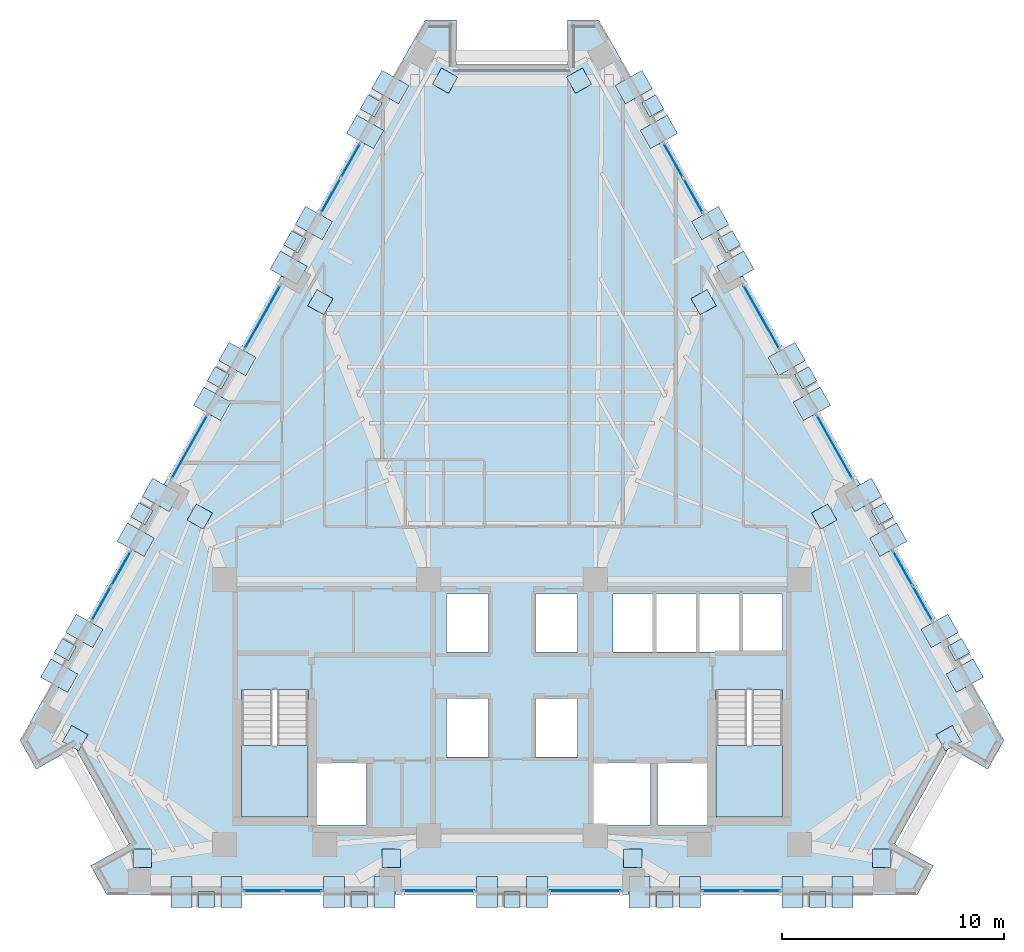
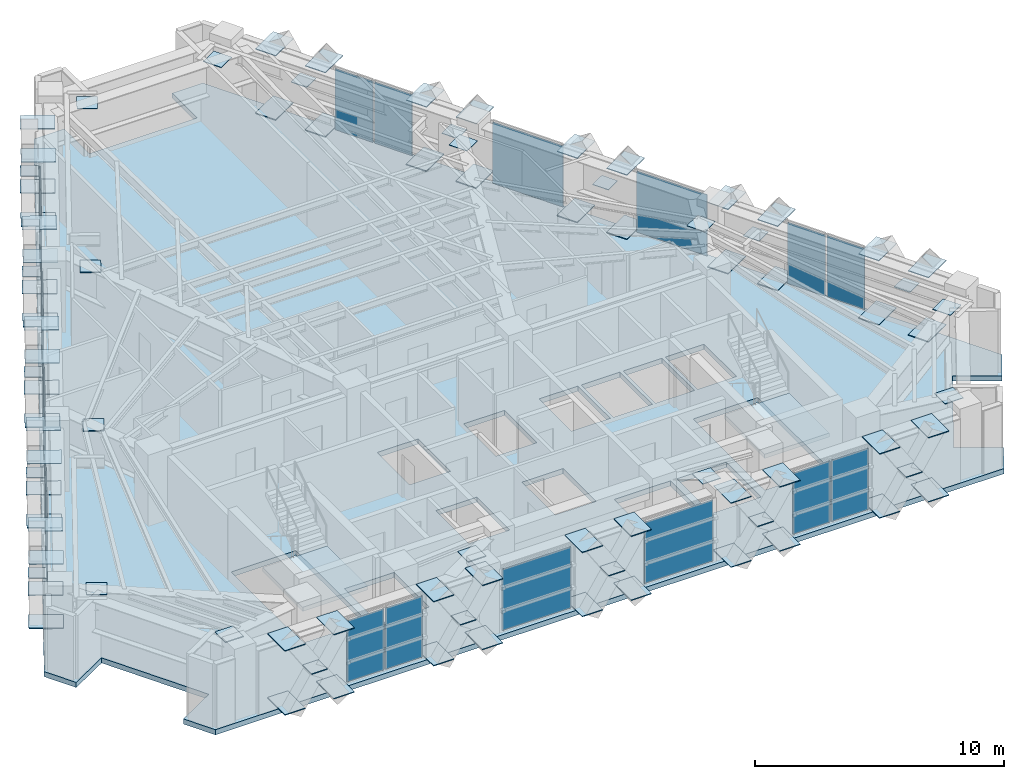
# One storey, part 6 of 13: 105 plates, 3 slabs, 14 elements without a shape of their own.
"""IFC4 building model written with IfcOpenShell, lengths in metres."""

from ifc_helpers import new_model, si_unit, direction, frame, origin, origin_2d, place, context, subcontext, project, spatial, polyline, rectangle, outline, extrude, material, layer, layer_set, type_object, element, aggregate, save


model = new_model("IFC4")

# Units and contexts
model_context = context("Model", 3, precision=1e-05, world=origin(), true_north=direction((0.0, 1.0)))
body_context = subcontext(model_context, "Body", "Model", "MODEL_VIEW")
ifc_project = project(units=[si_unit("LENGTHUNIT", "METRE"), si_unit("AREAUNIT", "SQUARE_METRE"), si_unit("VOLUMEUNIT", "CUBIC_METRE"), si_unit("PLANEANGLEUNIT", "RADIAN"), si_unit("MASSUNIT", "GRAM", prefix="KILO")], contexts=[model_context])

# Site, building, storey
site_placement = place(None, origin())
site = spatial("IfcSite", under=ifc_project, at=site_placement, CompositionType="ELEMENT")
building_placement = place(site_placement, origin())
building = spatial("IfcBuilding", under=site, at=building_placement, Name="Quenlor Broadcast Tower", CompositionType="ELEMENT")
storey_placement = place(building_placement, frame((0.0, 0.0, 175.5)))
storey = spatial("IfcBuildingStorey", under=building, at=storey_placement, Name="L48", CompositionType="ELEMENT", Elevation=175.5)

# Curtain wall, plates
ifc_material_1 = material(Name="Architectural Terracotta and Low-E Glazing", Category="masonry")
curtain_wall_type = type_object("IfcCurtainWallType", Name="Unitised Terracotta Curtain Wall System Z3", PredefinedType="NOTDEFINED", material=ifc_material_1)
curtain_wall_1_placement = place(storey_placement, origin())
curtain_wall_1 = element("IfcCurtainWall", 1, at=curtain_wall_1_placement, inside=storey, type_object=curtain_wall_type, Name="L48 Curtain Wall CW3 (L48-SA-G1)", PredefinedType="NOTDEFINED")
ifc_material_2 = material(Name="Double Glazed Low-E Solar Glass", Category="glass")
ifc_layer_1 = layer(ifc_material_2, 0.028076171875)
ifc_layer_set_1 = layer_set([ifc_layer_1], Name="CW3 Double Glazed Vision Panel 28")
plate_type_1 = type_object("IfcPlateType", Name="CW3 Double Glazed Vision Panel 28", PredefinedType="CURTAIN_PANEL", material=ifc_layer_set_1)
plate_1_placement = place(storey_placement, frame((11.222900390625, -18.824951171875, 0.070068359375), z_axis=(0.0, 0.0, 1.0), x_axis=(-1.0, 0.0, 0.0)))
plate_1 = element("IfcPlate", 2, at=plate_1_placement, type_object=plate_type_1, Name="CW3 panel 1.1", PredefinedType="CURTAIN_PANEL", context=body_context, shape_type="SweptSolid", body=[
    extrude(rectangle(XDim=1.7119140625, YDim=0.028076171875, at=origin_2d()), origin(), (0.0, 0.0, 1.0), 3.0),
])
plate_2_placement = place(storey_placement, frame((9.44091796875, -18.824951171875, 0.070068359375), z_axis=(0.0, 0.0, 1.0), x_axis=(-1.0, 0.0, 0.0)))
plate_2 = element("IfcPlate", 3, at=plate_2_placement, type_object=plate_type_1, Name="CW3 panel 2.1", PredefinedType="CURTAIN_PANEL", context=body_context, shape_type="SweptSolid", body=[
    extrude(rectangle(XDim=1.7119140625, YDim=0.028076171875, at=origin_2d()), origin(), (0.0, 0.0, 1.0), 3.0),
])
aggregate(curtain_wall_1, [plate_1, plate_2])

curtain_wall_2_placement = place(storey_placement, origin())
curtain_wall_2 = element("IfcCurtainWall", 4, at=curtain_wall_2_placement, inside=storey, type_object=curtain_wall_type, Name="L48 Curtain Wall CW3 (L48-SC-G1)", PredefinedType="NOTDEFINED")
plate_3_placement = place(storey_placement, frame((-9.44091796875, -18.824951171875, 0.070068359375), z_axis=(0.0, 0.0, 1.0), x_axis=(-1.0, 0.0, 0.0)))
plate_3 = element("IfcPlate", 5, at=plate_3_placement, type_object=plate_type_1, Name="CW3 panel 1.1", PredefinedType="CURTAIN_PANEL", context=body_context, shape_type="SweptSolid", body=[
    extrude(rectangle(XDim=1.7119140625, YDim=0.028076171875, at=origin_2d()), origin(), (0.0, 0.0, 1.0), 3.0),
])
plate_4_placement = place(storey_placement, frame((-11.222900390625, -18.824951171875, 0.070068359375), z_axis=(0.0, 0.0, 1.0), x_axis=(-1.0, 0.0, 0.0)))
plate_4 = element("IfcPlate", 6, at=plate_4_placement, type_object=plate_type_1, Name="CW3 panel 2.1", PredefinedType="CURTAIN_PANEL", context=body_context, shape_type="SweptSolid", body=[
    extrude(rectangle(XDim=1.7119140625, YDim=0.028076171875, at=origin_2d()), origin(), (0.0, 0.0, 1.0), 3.0),
])
aggregate(curtain_wall_2, [plate_3, plate_4])

# Curtain wall, plate
curtain_wall_3_placement = place(storey_placement, origin())
curtain_wall_3 = element("IfcCurtainWall", 7, at=curtain_wall_3_placement, inside=storey, type_object=curtain_wall_type, Name="L48 Curtain Wall CW3 (L48-S-G1)", PredefinedType="NOTDEFINED")
plate_5_placement = place(storey_placement, frame((3.2939453125, -18.824951171875, 0.070068359375), z_axis=(0.0, 0.0, 1.0), x_axis=(-1.0, 0.0, 0.0)))
plate_5 = element("IfcPlate", 8, at=plate_5_placement, type_object=plate_type_1, Name="CW3 panel 1.1", PredefinedType="CURTAIN_PANEL", context=body_context, shape_type="SweptSolid", body=[
    extrude(rectangle(XDim=3.194091796875, YDim=0.028076171875, at=origin_2d()), origin(), (0.0, 0.0, 1.0), 3.0),
])
aggregate(curtain_wall_3, [plate_5])

curtain_wall_4_placement = place(storey_placement, origin())
curtain_wall_4 = element("IfcCurtainWall", 9, at=curtain_wall_4_placement, inside=storey, type_object=curtain_wall_type, Name="L48 Curtain Wall CW3 (L48-S-G2)", PredefinedType="NOTDEFINED")
plate_6_placement = place(storey_placement, frame((-3.2939453125, -18.824951171875, 0.070068359375), z_axis=(0.0, 0.0, 1.0), x_axis=(-1.0, 0.0, 0.0)))
plate_6 = element("IfcPlate", 10, at=plate_6_placement, type_object=plate_type_1, Name="CW3 panel 1.1", PredefinedType="CURTAIN_PANEL", context=body_context, shape_type="SweptSolid", body=[
    extrude(rectangle(XDim=3.194091796875, YDim=0.028076171875, at=origin_2d()), origin(), (0.0, 0.0, 1.0), 3.0),
])
aggregate(curtain_wall_4, [plate_6])

# Curtain wall, plates
curtain_wall_5_placement = place(storey_placement, origin())
curtain_wall_5 = element("IfcCurtainWall", 11, at=curtain_wall_5_placement, inside=storey, type_object=curtain_wall_type, Name="L48 Curtain Wall CW3 (L48-NEA-G1)", PredefinedType="NOTDEFINED")
plate_7_placement = place(storey_placement, frame((7.2763671875, 14.107421875, 0.070068359375), z_axis=(0.0, 0.0, 1.0), x_axis=(0.490270139949, -0.871570530637, 0.0)))
plate_7 = element("IfcPlate", 12, at=plate_7_placement, type_object=plate_type_1, Name="CW3 panel 1.1", PredefinedType="CURTAIN_PANEL", context=body_context, shape_type="SweptSolid", body=[
    extrude(rectangle(XDim=1.761962890625, YDim=0.028076171875, at=origin_2d()), origin(), (0.0, 0.0, 1.0), 3.0),
])
plate_8_placement = place(storey_placement, frame((8.174560546875, 12.5107421875, 0.070068359375), z_axis=(0.0, 0.0, 1.0), x_axis=(0.490270139949, -0.871570530637, 0.0)))
plate_8 = element("IfcPlate", 13, at=plate_8_placement, type_object=plate_type_1, Name="CW3 panel 2.1", PredefinedType="CURTAIN_PANEL", context=body_context, shape_type="SweptSolid", body=[
    extrude(rectangle(XDim=1.761962890625, YDim=0.028076171875, at=origin_2d()), origin(), (0.0, 0.0, 1.0), 3.0),
])
aggregate(curtain_wall_5, [plate_7, plate_8])

curtain_wall_6_placement = place(storey_placement, origin())
curtain_wall_6 = element("IfcCurtainWall", 14, at=curtain_wall_6_placement, inside=storey, type_object=curtain_wall_type, Name="L48 Curtain Wall CW3 (L48-NEC-G1)", PredefinedType="NOTDEFINED")
plate_9_placement = place(storey_placement, frame((17.62060546875, -4.2822265625, 0.070068359375), z_axis=(0.0, 0.0, 1.0), x_axis=(0.490258696743, -0.871576967495, 0.0)))
plate_9 = element("IfcPlate", 15, at=plate_9_placement, type_object=plate_type_1, Name="CW3 panel 1.1", PredefinedType="CURTAIN_PANEL", context=body_context, shape_type="SweptSolid", body=[
    extrude(rectangle(XDim=1.761962890625, YDim=0.028076171875, at=origin_2d()), origin(), (0.0, 0.0, 1.0), 3.0),
])
plate_10_placement = place(storey_placement, frame((18.518798828125, -5.879150390625, 0.070068359375), z_axis=(0.0, 0.0, 1.0), x_axis=(0.490258696743, -0.871576967495, 0.0)))
plate_10 = element("IfcPlate", 16, at=plate_10_placement, type_object=plate_type_1, Name="CW3 panel 2.1", PredefinedType="CURTAIN_PANEL", context=body_context, shape_type="SweptSolid", body=[
    extrude(rectangle(XDim=1.761962890625, YDim=0.028076171875, at=origin_2d()), origin(), (0.0, 0.0, 1.0), 3.0),
])
aggregate(curtain_wall_6, [plate_9, plate_10])

# Curtain wall, plate
curtain_wall_7_placement = place(storey_placement, origin())
curtain_wall_7 = element("IfcCurtainWall", 17, at=curtain_wall_7_placement, inside=storey, type_object=curtain_wall_type, Name="L48 Curtain Wall CW3 (L48-NE-G1)", PredefinedType="NOTDEFINED")
plate_11_placement = place(storey_placement, frame((11.250244140625, 7.04248046875, 0.070068359375), z_axis=(0.0, 0.0, 1.0), x_axis=(0.490255687418, -0.871578660222, 0.0)))
plate_11 = element("IfcPlate", 18, at=plate_11_placement, type_object=plate_type_1, Name="CW3 panel 1.1", PredefinedType="CURTAIN_PANEL", context=body_context, shape_type="SweptSolid", body=[
    extrude(rectangle(XDim=3.280517578125, YDim=0.028076171875, at=origin_2d()), origin(), (0.0, 0.0, 1.0), 3.0),
])
aggregate(curtain_wall_7, [plate_11])

curtain_wall_8_placement = place(storey_placement, origin())
curtain_wall_8 = element("IfcCurtainWall", 19, at=curtain_wall_8_placement, inside=storey, type_object=curtain_wall_type, Name="L48 Curtain Wall CW3 (L48-NE-G2)", PredefinedType="NOTDEFINED")
plate_12_placement = place(storey_placement, frame((14.544677734375, 1.18603515625, 0.070068359375), z_axis=(0.0, 0.0, 1.0), x_axis=(0.490268180048, -0.871571633105, 0.0)))
plate_12 = element("IfcPlate", 20, at=plate_12_placement, type_object=plate_type_1, Name="CW3 panel 1.1", PredefinedType="CURTAIN_PANEL", context=body_context, shape_type="SweptSolid", body=[
    extrude(rectangle(XDim=3.2802734375, YDim=0.028076171875, at=origin_2d()), origin(), (0.0, 0.0, 1.0), 3.0),
])
aggregate(curtain_wall_8, [plate_12])

# Curtain wall, plates
curtain_wall_9_placement = place(storey_placement, origin())
curtain_wall_9 = element("IfcCurtainWall", 21, at=curtain_wall_9_placement, inside=storey, type_object=curtain_wall_type, Name="L48 Curtain Wall CW3 (L48-NWA-G1)", PredefinedType="NOTDEFINED")
plate_13_placement = place(storey_placement, frame((-18.518798828125, -5.879150390625, 0.070068359375), z_axis=(0.0, 0.0, 1.0), x_axis=(0.490258696743, 0.871576967495, 0.0)))
plate_13 = element("IfcPlate", 22, at=plate_13_placement, type_object=plate_type_1, Name="CW3 panel 1.1", PredefinedType="CURTAIN_PANEL", context=body_context, shape_type="SweptSolid", body=[
    extrude(rectangle(XDim=1.761962890625, YDim=0.028076171875, at=origin_2d()), origin(), (0.0, 0.0, 1.0), 3.0),
])
plate_14_placement = place(storey_placement, frame((-17.62060546875, -4.2822265625, 0.070068359375), z_axis=(0.0, 0.0, 1.0), x_axis=(0.490258696743, 0.871576967495, 0.0)))
plate_14 = element("IfcPlate", 23, at=plate_14_placement, type_object=plate_type_1, Name="CW3 panel 2.1", PredefinedType="CURTAIN_PANEL", context=body_context, shape_type="SweptSolid", body=[
    extrude(rectangle(XDim=1.761962890625, YDim=0.028076171875, at=origin_2d()), origin(), (0.0, 0.0, 1.0), 3.0),
])
aggregate(curtain_wall_9, [plate_13, plate_14])

curtain_wall_10_placement = place(storey_placement, origin())
curtain_wall_10 = element("IfcCurtainWall", 24, at=curtain_wall_10_placement, inside=storey, type_object=curtain_wall_type, Name="L48 Curtain Wall CW3 (L48-NWC-G1)", PredefinedType="NOTDEFINED")
plate_15_placement = place(storey_placement, frame((-8.174560546875, 12.5107421875, 0.070068359375), z_axis=(0.0, 0.0, 1.0), x_axis=(0.490270139949, 0.871570530637, 0.0)))
plate_15 = element("IfcPlate", 25, at=plate_15_placement, type_object=plate_type_1, Name="CW3 panel 1.1", PredefinedType="CURTAIN_PANEL", context=body_context, shape_type="SweptSolid", body=[
    extrude(rectangle(XDim=1.761962890625, YDim=0.028076171875, at=origin_2d()), origin(), (0.0, 0.0, 1.0), 3.0),
])
plate_16_placement = place(storey_placement, frame((-7.2763671875, 14.107421875, 0.070068359375), z_axis=(0.0, 0.0, 1.0), x_axis=(0.490270139949, 0.871570530637, 0.0)))
plate_16 = element("IfcPlate", 26, at=plate_16_placement, type_object=plate_type_1, Name="CW3 panel 2.1", PredefinedType="CURTAIN_PANEL", context=body_context, shape_type="SweptSolid", body=[
    extrude(rectangle(XDim=1.761962890625, YDim=0.028076171875, at=origin_2d()), origin(), (0.0, 0.0, 1.0), 3.0),
])
aggregate(curtain_wall_10, [plate_15, plate_16])

# Curtain wall, plate
curtain_wall_11_placement = place(storey_placement, origin())
curtain_wall_11 = element("IfcCurtainWall", 27, at=curtain_wall_11_placement, inside=storey, type_object=curtain_wall_type, Name="L48 Curtain Wall CW3 (L48-NW-G1)", PredefinedType="NOTDEFINED")
plate_17_placement = place(storey_placement, frame((-14.544677734375, 1.18603515625, 0.070068359375), z_axis=(0.0, 0.0, 1.0), x_axis=(0.490268180048, 0.871571633105, 0.0)))
plate_17 = element("IfcPlate", 28, at=plate_17_placement, type_object=plate_type_1, Name="CW3 panel 1.1", PredefinedType="CURTAIN_PANEL", context=body_context, shape_type="SweptSolid", body=[
    extrude(rectangle(XDim=3.2802734375, YDim=0.028076171875, at=origin_2d()), origin(), (0.0, 0.0, 1.0), 3.0),
])
aggregate(curtain_wall_11, [plate_17])

curtain_wall_12_placement = place(storey_placement, origin())
curtain_wall_12 = element("IfcCurtainWall", 29, at=curtain_wall_12_placement, inside=storey, type_object=curtain_wall_type, Name="L48 Curtain Wall CW3 (L48-NW-G2)", PredefinedType="NOTDEFINED")
plate_18_placement = place(storey_placement, frame((-11.250244140625, 7.04248046875, 0.070068359375), z_axis=(0.0, 0.0, 1.0), x_axis=(0.490255687418, 0.871578660222, 0.0)))
plate_18 = element("IfcPlate", 30, at=plate_18_placement, type_object=plate_type_1, Name="CW3 panel 1.1", PredefinedType="CURTAIN_PANEL", context=body_context, shape_type="SweptSolid", body=[
    extrude(rectangle(XDim=3.280517578125, YDim=0.028076171875, at=origin_2d()), origin(), (0.0, 0.0, 1.0), 3.0),
])
aggregate(curtain_wall_12, [plate_18])

# Plates
ifc_material_3 = material(Name="Steel S355", Category="steel")
ifc_layer_2 = layer(ifc_material_3, 0.028076171875)
ifc_layer_set_2 = layer_set([ifc_layer_2], Name="Perimeter Lattice Node Steel S355 Cap Plate 740x740x28")
plate_type_2 = type_object("IfcPlateType", Name="Perimeter Lattice Node Steel S355 Cap Plate 740x740x28", PredefinedType="USERDEFINED", material=ifc_layer_set_2)
for number, where, z_axis, x_axis, name in (
    (31, (13.77587890625, -19.219970703125, 1.61572265625), (0.0, 0.0, 1.0), (-1.0, 0.0, 0.0), "L48 Diamond Lattice Crossing Node S-C1"),
    (32, (6.887939453125, -19.219970703125, 1.61572265625), (0.0, 0.0, 1.0), (-1.0, 0.0, 0.0), "L48 Diamond Lattice Crossing Node S-C2"),
    (33, (0.0, -19.219970703125, 1.61572265625), (0.0, 0.0, 1.0), (-1.0, 0.0, 0.0), "L48 Diamond Lattice Crossing Node S-C3"),
    (34, (-6.887939453125, -19.219970703125, 1.61572265625), (0.0, 0.0, 1.0), (-1.0, 0.0, 0.0), "L48 Diamond Lattice Crossing Node S-C4"),
    (35, (-13.77587890625, -19.219970703125, 1.61572265625), (0.0, 0.0, 1.0), (-1.0, 0.0, 0.0), "L48 Diamond Lattice Crossing Node S-C5"),
    (36, (6.345703125, 16.567626953125, 1.61572265625), (0.0, 0.0, 1.0), (0.490295412055, -0.871556314255, 0.0), "L48 Diamond Lattice Crossing Node NE-C1"),
    (37, (9.793701171875, 10.437744140625, 1.61572265625), (0.0, 0.0, 1.0), (0.490295412055, -0.871556314255, 0.0), "L48 Diamond Lattice Crossing Node NE-C2"),
    (38, (13.24169921875, 4.307861328125, 1.61572265625), (0.0, 0.0, 1.0), (0.490295412055, -0.871556314255, 0.0), "L48 Diamond Lattice Crossing Node NE-C3"),
    (39, (16.689697265625, -1.822021484375, 1.61572265625), (0.0, 0.0, 1.0), (0.490295412055, -0.871556314255, 0.0), "L48 Diamond Lattice Crossing Node NE-C4"),
    (40, (20.137939453125, -7.951904296875, 1.61572265625), (0.0, 0.0, 1.0), (0.490295412055, -0.871556314255, 0.0), "L48 Diamond Lattice Crossing Node NE-C5"),
    (41, (-20.137939453125, -7.951904296875, 1.61572265625), (0.0, 0.0, 1.0), (0.490295412055, 0.871556314255, 0.0), "L48 Diamond Lattice Crossing Node NW-C1"),
    (42, (-16.689697265625, -1.822021484375, 1.61572265625), (0.0, 0.0, 1.0), (0.490295412055, 0.871556314255, 0.0), "L48 Diamond Lattice Crossing Node NW-C2"),
    (43, (-13.24169921875, 4.307861328125, 1.61572265625), (0.0, 0.0, 1.0), (0.490295412055, 0.871556314255, 0.0), "L48 Diamond Lattice Crossing Node NW-C3"),
    (44, (-9.793701171875, 10.437744140625, 1.61572265625), (0.0, 0.0, 1.0), (0.490295412055, 0.871556314255, 0.0), "L48 Diamond Lattice Crossing Node NW-C4"),
    (45, (-6.345703125, 16.567626953125, 1.61572265625), (0.0, 0.0, 1.0), (0.490295412055, 0.871556314255, 0.0), "L48 Diamond Lattice Crossing Node NW-C5"),
):
    element("IfcPlate", number, at=place(storey_placement, frame(where, z_axis=z_axis, x_axis=x_axis)), inside=storey, type_object=plate_type_2, Name=name, ObjectType="CAP PLATE", PredefinedType="USERDEFINED", context=body_context, shape_type="SweptSolid", body=[
        extrude(rectangle(XDim=0.739990234375, YDim=0.739990234375, at=origin_2d()), origin(), (0.0, 0.0, 1.0), 0.028076171875),
    ])

# Stair, slab
ifc_material_4 = material(Name="Precast concrete C40/50", Category="concrete")
stair_type = type_object("IfcStairType", Name="Precast Concrete C40/50 Dogleg Stair H350", PredefinedType="HALF_TURN_STAIR", material=ifc_material_4)
stair_1_placement = place(storey_placement, origin())
stair_1 = element("IfcStair", 46, at=stair_1_placement, inside=storey, type_object=stair_type, Name="L48 West Core Fire-Isolated Exit Stair ST-1", PredefinedType="HALF_TURN_STAIR")
ifc_material_5 = material(Name="Precast concrete C40/50", Category="concrete")
ifc_layer_3 = layer(ifc_material_5, 0.199951171875)
ifc_layer_set_3 = layer_set([ifc_layer_3], Name="Precast Concrete C40/50 Stair Landing Slab 200")
slab_type_1 = type_object("IfcSlabType", Name="Precast Concrete C40/50 Stair Landing Slab 200", PredefinedType="LANDING", material=ifc_layer_set_3)
slab_1_placement = place(storey_placement, frame((0.0, 0.0, 1.550048828125)))
slab_1 = element("IfcSlab", 47, at=slab_1_placement, type_object=slab_type_1, Name="ST-1 landing 1", PredefinedType="LANDING", context=body_context, shape_type="SweptSolid", body=[
    extrude(outline(polyline([(-12.199951171875, -12.27001953125), (-12.199951171875, -15.5), (-9.199951171875, -15.5), (-9.199951171875, -12.27001953125), (-12.199951171875, -12.27001953125)])), origin(), (0.0, 0.0, 1.0), 0.199951171875),
])
aggregate(stair_1, [slab_1])

stair_2_placement = place(storey_placement, origin())
stair_2 = element("IfcStair", 48, at=stair_2_placement, inside=storey, type_object=stair_type, Name="L48 East Core Fire-Isolated Exit Stair ST-2", PredefinedType="HALF_TURN_STAIR")
slab_2_placement = place(storey_placement, frame((0.0, 0.0, 1.550048828125)))
slab_2 = element("IfcSlab", 49, at=slab_2_placement, type_object=slab_type_1, Name="ST-2 landing 1", PredefinedType="LANDING", context=body_context, shape_type="SweptSolid", body=[
    extrude(outline(polyline([(9.199951171875, -12.27001953125), (9.199951171875, -15.5), (12.199951171875, -15.5), (12.199951171875, -12.27001953125), (9.199951171875, -12.27001953125)])), origin(), (0.0, 0.0, 1.0), 0.199951171875),
])
aggregate(stair_2, [slab_2])

# Slab
ifc_material_6 = material(Name="Concrete C40/50", Category="concrete")
ifc_layer_4 = layer(ifc_material_6, 0.25)
ifc_layer_set_4 = layer_set([ifc_layer_4], Name="Tower Composite Concrete C40/50 Slab 250")
slab_type_2 = type_object("IfcSlabType", Name="Tower Composite Concrete C40/50 Slab 250", PredefinedType="FLOOR", material=ifc_layer_set_4)
slab_3_placement = place(storey_placement, frame((0.0, 0.0, -0.25)))
element("IfcSlab", 50, at=slab_3_placement, inside=storey, type_object=slab_type_2, Name="L48 Structural Floor Slab", PredefinedType="FLOOR", context=body_context, shape_type="SweptSolid", body=[
    extrude(outline(polyline([(18.27001953125, -19.0), (19.001708984375, -17.698974609375), (17.2587890625, -16.718505859375), (19.7099609375, -12.360595703125), (21.453125, -13.341064453125), (22.18505859375, -12.0400390625), (3.9150390625, 20.43994140625), (2.5, 20.43994140625), (2.5, 18.43994140625), (-2.5, 18.43994140625), (-2.5, 20.43994140625), (-3.9150390625, 20.43994140625), (-22.18505859375, -12.0400390625), (-21.453125, -13.341064453125), (-19.7099609375, -12.360595703125), (-17.2587890625, -16.718505859375), (-19.001708984375, -17.698974609375), (-18.27001953125, -19.0), (18.27001953125, -19.0)]), holes=[polyline([(-12.199951171875, -9.758056640625), (-12.199951171875, -15.5), (-9.199951171875, -15.5), (-9.199951171875, -9.758056640625), (-12.199951171875, -9.758056640625)]), polyline([(9.199951171875, -9.758056640625), (9.199951171875, -15.5), (12.199951171875, -15.5), (12.199951171875, -9.758056640625), (9.199951171875, -9.758056640625)]), polyline([(-2.949951171875, -8.050048828125), (-1.050048828125, -8.050048828125), (-1.050048828125, -5.449951171875), (-2.949951171875, -5.449951171875), (-2.949951171875, -8.050048828125)]), polyline([(1.050048828125, -8.050048828125), (2.949951171875, -8.050048828125), (2.949951171875, -5.449951171875), (1.050048828125, -5.449951171875), (1.050048828125, -8.050048828125)]), polyline([(-2.949951171875, -12.800048828125), (-1.050048828125, -12.800048828125), (-1.050048828125, -10.14990234375), (-2.949951171875, -10.14990234375), (-2.949951171875, -12.800048828125)]), polyline([(1.050048828125, -12.800048828125), (2.949951171875, -12.800048828125), (2.949951171875, -10.14990234375), (1.050048828125, -10.14990234375), (1.050048828125, -12.800048828125)]), polyline([(4.550048828125, -8.050048828125), (6.35009765625, -8.050048828125), (6.35009765625, -5.449951171875), (4.550048828125, -5.449951171875), (4.550048828125, -8.050048828125)]), polyline([(6.5, -8.050048828125), (8.300048828125, -8.050048828125), (8.300048828125, -5.449951171875), (6.5, -5.449951171875), (6.5, -8.050048828125)]), polyline([(8.449951171875, -8.050048828125), (10.25, -8.050048828125), (10.25, -5.449951171875), (8.449951171875, -5.449951171875), (8.449951171875, -8.050048828125)]), polyline([(10.39990234375, -8.050048828125), (12.199951171875, -8.050048828125), (12.199951171875, -5.449951171875), (10.39990234375, -5.449951171875), (10.39990234375, -8.050048828125)]), polyline([(-8.85009765625, -15.85009765625), (-6.550048828125, -15.85009765625), (-6.550048828125, -13.050048828125), (-8.85009765625, -13.050048828125), (-8.85009765625, -15.85009765625)]), polyline([(6.550048828125, -15.85009765625), (8.85009765625, -15.85009765625), (8.85009765625, -13.050048828125), (6.550048828125, -13.050048828125), (6.550048828125, -15.85009765625)]), polyline([(3.64990234375, -15.85009765625), (6.25, -15.85009765625), (6.25, -13.050048828125), (3.64990234375, -13.050048828125), (3.64990234375, -15.85009765625)])]), origin(), (0.0, 0.0, 1.0), 0.25),
])

# Plates
ifc_material_7 = material(Name="Steel S355", Category="steel")
ifc_layer_5 = layer(ifc_material_7, 0.035888671875)
ifc_layer_set_5 = layer_set([ifc_layer_5], Name="Transfer Truss Steel S355 Gusset Node Plate 1400x950x36")
plate_type_3 = type_object("IfcPlateType", Name="Transfer Truss Steel S355 Gusset Node Plate 1400x950x36", PredefinedType="SHEET", material=ifc_layer_set_5)
for number, where, z_axis, x_axis, name in (
    (51, (14.91015625, -18.885009765625, 0.0419921875), (0.0, 0.0, 1.0), (0.0, -1.0, 0.0), "L48 Lattice Tie Gusset Node S-B1"),
    (52, (12.641845703125, -18.885009765625, 3.18212890625), (0.0, 0.0, 1.0), (0.0, -1.0, 0.0), "L48 Lattice Tie Gusset Node S-T2"),
    (53, (12.641845703125, -18.885009765625, 0.0419921875), (0.0, 0.0, 1.0), (0.0, -1.0, 0.0), "L48 Lattice Tie Gusset Node S-B2"),
    (54, (14.91015625, -18.885009765625, 3.18212890625), (0.0, 0.0, 1.0), (0.0, -1.0, 0.0), "L48 Lattice Tie Gusset Node S-T1"),
    (55, (8.022216796875, -18.885009765625, 0.0419921875), (0.0, 0.0, 1.0), (0.0, -1.0, 0.0), "L48 Lattice Tie Gusset Node S-B4"),
    (56, (5.75390625, -18.885009765625, 3.18212890625), (0.0, 0.0, 1.0), (0.0, -1.0, 0.0), "L48 Lattice Tie Gusset Node S-T5"),
    (57, (5.75390625, -18.885009765625, 0.0419921875), (0.0, 0.0, 1.0), (0.0, -1.0, 0.0), "L48 Lattice Tie Gusset Node S-B5"),
    (58, (8.022216796875, -18.885009765625, 3.18212890625), (0.0, 0.0, 1.0), (0.0, -1.0, 0.0), "L48 Lattice Tie Gusset Node S-T4"),
    (59, (1.13427734375, -18.885009765625, 0.0419921875), (0.0, 0.0, 1.0), (0.0, -1.0, 0.0), "L48 Lattice Tie Gusset Node S-B7"),
    (60, (-1.13427734375, -18.885009765625, 3.18212890625), (0.0, 0.0, 1.0), (0.0, -1.0, 0.0), "L48 Lattice Tie Gusset Node S-T8"),
    (61, (-1.13427734375, -18.885009765625, 0.0419921875), (0.0, 0.0, 1.0), (0.0, -1.0, 0.0), "L48 Lattice Tie Gusset Node S-B8"),
    (62, (1.13427734375, -18.885009765625, 3.18212890625), (0.0, 0.0, 1.0), (0.0, -1.0, 0.0), "L48 Lattice Tie Gusset Node S-T7"),
    (63, (-5.75390625, -18.885009765625, 0.0419921875), (0.0, 0.0, 1.0), (0.0, -1.0, 0.0), "L48 Lattice Tie Gusset Node S-B10"),
    (64, (-8.022216796875, -18.885009765625, 3.18212890625), (0.0, 0.0, 1.0), (0.0, -1.0, 0.0), "L48 Lattice Tie Gusset Node S-T11"),
    (65, (-8.022216796875, -18.885009765625, 0.0419921875), (0.0, 0.0, 1.0), (0.0, -1.0, 0.0), "L48 Lattice Tie Gusset Node S-B11"),
    (66, (-5.75390625, -18.885009765625, 3.18212890625), (0.0, 0.0, 1.0), (0.0, -1.0, 0.0), "L48 Lattice Tie Gusset Node S-T10"),
    (67, (-12.641845703125, -18.885009765625, 0.0419921875), (0.0, 0.0, 1.0), (0.0, -1.0, 0.0), "L48 Lattice Tie Gusset Node S-B13"),
    (68, (-14.91015625, -18.885009765625, 3.18212890625), (0.0, 0.0, 1.0), (0.0, -1.0, 0.0), "L48 Lattice Tie Gusset Node S-T14"),
    (69, (-14.91015625, -18.885009765625, 0.0419921875), (0.0, 0.0, 1.0), (0.0, -1.0, 0.0), "L48 Lattice Tie Gusset Node S-B14"),
    (70, (-12.641845703125, -18.885009765625, 3.18212890625), (0.0, 0.0, 1.0), (0.0, -1.0, 0.0), "L48 Lattice Tie Gusset Node S-T13"),
    (71, (5.48583984375, 17.412841796875, 0.0419921875), (0.0, 0.0, 1.0), (0.871556314255, 0.490295412055, 0.0), "L48 Lattice Tie Gusset Node NE-B1"),
    (72, (6.621337890625, 15.39404296875, 3.18212890625), (0.0, 0.0, 1.0), (0.871556314255, 0.490295412055, 0.0), "L48 Lattice Tie Gusset Node NE-T2"),
    (73, (6.621337890625, 15.39404296875, 0.0419921875), (0.0, 0.0, 1.0), (0.871556314255, 0.490295412055, 0.0), "L48 Lattice Tie Gusset Node NE-B2"),
    (74, (5.48583984375, 17.412841796875, 3.18212890625), (0.0, 0.0, 1.0), (0.871556314255, 0.490295412055, 0.0), "L48 Lattice Tie Gusset Node NE-T1"),
    (75, (8.933837890625, 11.282958984375, 0.0419921875), (0.0, 0.0, 1.0), (0.871556314255, 0.490295412055, 0.0), "L48 Lattice Tie Gusset Node NE-B4"),
    (76, (10.069580078125, 9.26416015625, 3.18212890625), (0.0, 0.0, 1.0), (0.871556314255, 0.490295412055, 0.0), "L48 Lattice Tie Gusset Node NE-T5"),
    (77, (10.069580078125, 9.26416015625, 0.0419921875), (0.0, 0.0, 1.0), (0.871556314255, 0.490295412055, 0.0), "L48 Lattice Tie Gusset Node NE-B5"),
    (78, (8.933837890625, 11.282958984375, 3.18212890625), (0.0, 0.0, 1.0), (0.871556314255, 0.490295412055, 0.0), "L48 Lattice Tie Gusset Node NE-T4"),
    (79, (12.382080078125, 5.153076171875, 0.0419921875), (0.0, 0.0, 1.0), (0.871556314255, 0.490295412055, 0.0), "L48 Lattice Tie Gusset Node NE-B7"),
    (80, (13.517578125, 3.13427734375, 3.18212890625), (0.0, 0.0, 1.0), (0.871556314255, 0.490295412055, 0.0), "L48 Lattice Tie Gusset Node NE-T8"),
    (81, (13.517578125, 3.13427734375, 0.0419921875), (0.0, 0.0, 1.0), (0.871556314255, 0.490295412055, 0.0), "L48 Lattice Tie Gusset Node NE-B8"),
    (82, (12.382080078125, 5.153076171875, 3.18212890625), (0.0, 0.0, 1.0), (0.871556314255, 0.490295412055, 0.0), "L48 Lattice Tie Gusset Node NE-T7"),
    (83, (15.830078125, -0.976806640625, 0.0419921875), (0.0, 0.0, 1.0), (0.871556314255, 0.490295412055, 0.0), "L48 Lattice Tie Gusset Node NE-B10"),
    (84, (16.9658203125, -2.99560546875, 3.18212890625), (0.0, 0.0, 1.0), (0.871556314255, 0.490295412055, 0.0), "L48 Lattice Tie Gusset Node NE-T11"),
    (85, (16.9658203125, -2.99560546875, 0.0419921875), (0.0, 0.0, 1.0), (0.871556314255, 0.490295412055, 0.0), "L48 Lattice Tie Gusset Node NE-B11"),
    (86, (15.830078125, -0.976806640625, 3.18212890625), (0.0, 0.0, 1.0), (0.871556314255, 0.490295412055, 0.0), "L48 Lattice Tie Gusset Node NE-T10"),
    (87, (19.2783203125, -7.10693359375, 0.0419921875), (0.0, 0.0, 1.0), (0.871556314255, 0.490295412055, 0.0), "L48 Lattice Tie Gusset Node NE-B13"),
    (88, (20.413818359375, -9.125732421875, 3.18212890625), (0.0, 0.0, 1.0), (0.871556314255, 0.490295412055, 0.0), "L48 Lattice Tie Gusset Node NE-T14"),
    (89, (20.413818359375, -9.125732421875, 0.0419921875), (0.0, 0.0, 1.0), (0.871556314255, 0.490295412055, 0.0), "L48 Lattice Tie Gusset Node NE-B14"),
    (90, (19.2783203125, -7.10693359375, 3.18212890625), (0.0, 0.0, 1.0), (0.871556314255, 0.490295412055, 0.0), "L48 Lattice Tie Gusset Node NE-T13"),
    (91, (-20.413818359375, -9.125732421875, 0.0419921875), (0.0, 0.0, 1.0), (-0.871556314255, 0.490295412055, 0.0), "L48 Lattice Tie Gusset Node NW-B1"),
    (92, (-19.2783203125, -7.10693359375, 3.18212890625), (0.0, 0.0, 1.0), (-0.871556314255, 0.490295412055, 0.0), "L48 Lattice Tie Gusset Node NW-T2"),
    (93, (-19.2783203125, -7.10693359375, 0.0419921875), (0.0, 0.0, 1.0), (-0.871556314255, 0.490295412055, 0.0), "L48 Lattice Tie Gusset Node NW-B2"),
    (94, (-20.413818359375, -9.125732421875, 3.18212890625), (0.0, 0.0, 1.0), (-0.871556314255, 0.490295412055, 0.0), "L48 Lattice Tie Gusset Node NW-T1"),
    (95, (-16.9658203125, -2.99560546875, 0.0419921875), (0.0, 0.0, 1.0), (-0.871556314255, 0.490295412055, 0.0), "L48 Lattice Tie Gusset Node NW-B4"),
    (96, (-15.830078125, -0.976806640625, 3.18212890625), (0.0, 0.0, 1.0), (-0.871556314255, 0.490295412055, 0.0), "L48 Lattice Tie Gusset Node NW-T5"),
    (97, (-15.830078125, -0.976806640625, 0.0419921875), (0.0, 0.0, 1.0), (-0.871556314255, 0.490295412055, 0.0), "L48 Lattice Tie Gusset Node NW-B5"),
    (98, (-16.9658203125, -2.99560546875, 3.18212890625), (0.0, 0.0, 1.0), (-0.871556314255, 0.490295412055, 0.0), "L48 Lattice Tie Gusset Node NW-T4"),
    (99, (-13.517578125, 3.13427734375, 0.0419921875), (0.0, 0.0, 1.0), (-0.871556314255, 0.490295412055, 0.0), "L48 Lattice Tie Gusset Node NW-B7"),
    (100, (-12.382080078125, 5.153076171875, 3.18212890625), (0.0, 0.0, 1.0), (-0.871556314255, 0.490295412055, 0.0), "L48 Lattice Tie Gusset Node NW-T8"),
    (101, (-12.382080078125, 5.153076171875, 0.0419921875), (0.0, 0.0, 1.0), (-0.871556314255, 0.490295412055, 0.0), "L48 Lattice Tie Gusset Node NW-B8"),
    (102, (-13.517578125, 3.13427734375, 3.18212890625), (0.0, 0.0, 1.0), (-0.871556314255, 0.490295412055, 0.0), "L48 Lattice Tie Gusset Node NW-T7"),
    (103, (-10.069580078125, 9.26416015625, 0.0419921875), (0.0, 0.0, 1.0), (-0.871556314255, 0.490295412055, 0.0), "L48 Lattice Tie Gusset Node NW-B10"),
    (104, (-8.933837890625, 11.282958984375, 3.18212890625), (0.0, 0.0, 1.0), (-0.871556314255, 0.490295412055, 0.0), "L48 Lattice Tie Gusset Node NW-T11"),
    (105, (-8.933837890625, 11.282958984375, 0.0419921875), (0.0, 0.0, 1.0), (-0.871556314255, 0.490295412055, 0.0), "L48 Lattice Tie Gusset Node NW-B11"),
    (106, (-10.069580078125, 9.26416015625, 3.18212890625), (0.0, 0.0, 1.0), (-0.871556314255, 0.490295412055, 0.0), "L48 Lattice Tie Gusset Node NW-T10"),
    (107, (-6.621337890625, 15.39404296875, 0.0419921875), (0.0, 0.0, 1.0), (-0.871556314255, 0.490295412055, 0.0), "L48 Lattice Tie Gusset Node NW-B13"),
    (108, (-5.48583984375, 17.412841796875, 3.18212890625), (0.0, 0.0, 1.0), (-0.871556314255, 0.490295412055, 0.0), "L48 Lattice Tie Gusset Node NW-T14"),
    (109, (-5.48583984375, 17.412841796875, 0.0419921875), (0.0, 0.0, 1.0), (-0.871556314255, 0.490295412055, 0.0), "L48 Lattice Tie Gusset Node NW-B14"),
    (110, (-6.621337890625, 15.39404296875, 3.18212890625), (0.0, 0.0, 1.0), (-0.871556314255, 0.490295412055, 0.0), "L48 Lattice Tie Gusset Node NW-T13"),
):
    element("IfcPlate", number, at=place(storey_placement, frame(where, z_axis=z_axis, x_axis=x_axis)), inside=storey, type_object=plate_type_3, Name=name, PredefinedType="SHEET", context=body_context, shape_type="SweptSolid", body=[
        extrude(rectangle(XDim=1.39990234375, YDim=0.949951171875, at=origin_2d()), origin(), (0.0, 0.0, 1.0), 0.035888671875),
    ])
ifc_material_8 = material(Name="Steel S355", Category="steel")
ifc_layer_6 = layer(ifc_material_8, 0.028076171875)
ifc_layer_set_6 = layer_set([ifc_layer_6], Name="Upper Zone Setback Steel S355 Kink Cap Plate 840x840x28")
plate_type_4 = type_object("IfcPlateType", Name="Upper Zone Setback Steel S355 Kink Cap Plate 840x840x28", PredefinedType="USERDEFINED", material=ifc_layer_set_6)
for number, where, z_axis, x_axis, name in (
    (111, (-16.67578125, -17.35009765625, 3.10986328125), (0.0, 0.0, 1.0), (0.0, 1.0, 0.0), "L48 Setback Kink Plate S1"),
    (112, (-5.437744140625, -17.35009765625, 3.10986328125), (0.0, 0.0, 1.0), (0.0, 1.0, 0.0), "L48 Setback Kink Plate S2"),
    (113, (5.437744140625, -17.35009765625, 3.10986328125), (0.0, 0.0, 1.0), (0.0, 1.0, 0.0), "L48 Setback Kink Plate S3"),
    (114, (16.67578125, -17.35009765625, 3.10986328125), (0.0, 0.0, 1.0), (0.0, 1.0, 0.0), "L48 Setback Kink Plate S4"),
    (115, (19.696533203125, -11.941650390625, 3.10986328125), (0.0, 0.0, 1.0), (0.871575139605, 0.490261946333, 0.0), "L48 Setback Kink Plate NE1"),
    (116, (14.077392578125, -1.952392578125, 3.10986328125), (0.0, 0.0, 1.0), (0.871575139605, 0.490261946333, 0.0), "L48 Setback Kink Plate NE2"),
    (117, (8.6396484375, 7.71484375, 3.10986328125), (0.0, 0.0, 1.0), (0.871575139605, 0.490261946333, 0.0), "L48 Setback Kink Plate NE3"),
    (118, (3.0205078125, 17.704345703125, 3.10986328125), (0.0, 0.0, 1.0), (0.871575139605, 0.490261946333, 0.0), "L48 Setback Kink Plate NE4"),
    (119, (-3.0205078125, 17.704345703125, 3.10986328125), (0.0, 0.0, 1.0), (-0.871575139605, 0.490261946333, 0.0), "L48 Setback Kink Plate NW1"),
    (120, (-8.6396484375, 7.71484375, 3.10986328125), (0.0, 0.0, 1.0), (-0.871575139605, 0.490261946333, 0.0), "L48 Setback Kink Plate NW2"),
    (121, (-14.077392578125, -1.952392578125, 3.10986328125), (0.0, 0.0, 1.0), (-0.871575139605, 0.490261946333, 0.0), "L48 Setback Kink Plate NW3"),
    (122, (-19.696533203125, -11.941650390625, 3.10986328125), (0.0, 0.0, 1.0), (-0.871575139605, 0.490261946333, 0.0), "L48 Setback Kink Plate NW4"),
):
    element("IfcPlate", number, at=place(storey_placement, frame(where, z_axis=z_axis, x_axis=x_axis)), inside=storey, type_object=plate_type_4, Name=name, ObjectType="CAP PLATE", PredefinedType="USERDEFINED", context=body_context, shape_type="SweptSolid", body=[
        extrude(rectangle(XDim=0.840087890625, YDim=0.840087890625, at=origin_2d()), origin(), (0.0, 0.0, 1.0), 0.028076171875),
    ])

save(model, "model.ifc")
